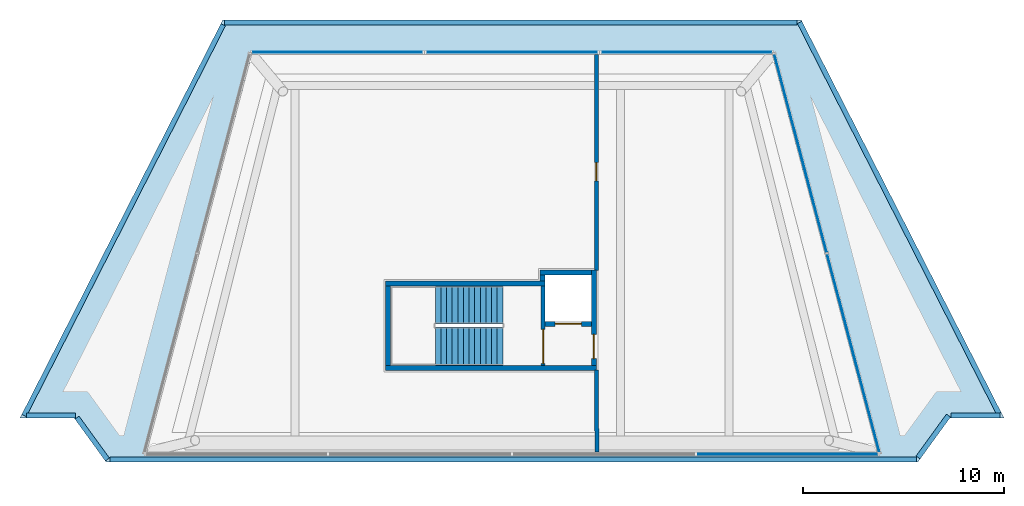
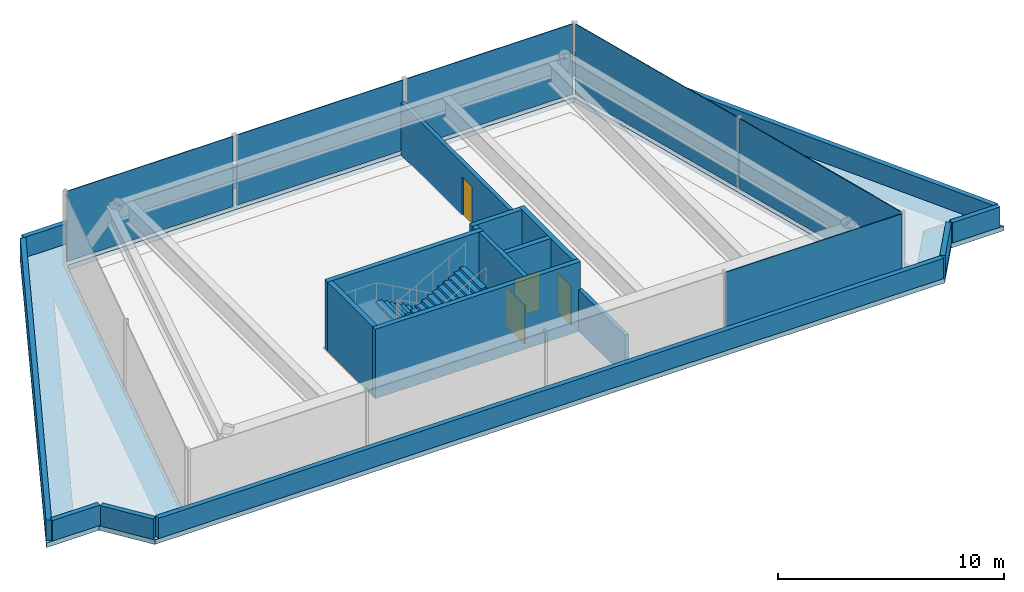
# One storey, part 2 of 3: 18 walls, 6 plates, 4 doors, 2 stair flights, 1 slab, 4 openings, 6 elements without a shape of their own.
"""IFC4 building model written with IfcOpenShell, lengths in metres."""

from ifc_helpers import new_model, si_unit, direction, frame, frame_2d, origin, origin_2d, place, context, subcontext, project, spatial, polyline, rectangle, outline, extrude, material, layer, layer_set, type_object, element, fill, aggregate, save


model = new_model("IFC4")

# Units and contexts
model_context = context("Model", 3, precision=1e-05, world=origin(), true_north=direction((0.0, 1.0)))
body_context = subcontext(model_context, "Body", "Model", "MODEL_VIEW")
ifc_project = project(units=[si_unit("LENGTHUNIT", "METRE"), si_unit("AREAUNIT", "SQUARE_METRE"), si_unit("VOLUMEUNIT", "CUBIC_METRE"), si_unit("PLANEANGLEUNIT", "RADIAN"), si_unit("MASSUNIT", "GRAM", prefix="KILO")], contexts=[model_context])

# Site, building, storey
site_placement = place(None, origin())
site = spatial("IfcSite", under=ifc_project, at=site_placement, CompositionType="ELEMENT")
building_placement = place(site_placement, origin())
building = spatial("IfcBuilding", under=site, at=building_placement, Name="Quipu Civic Tower", CompositionType="ELEMENT")
storey_placement = place(building_placement, frame((0.0, 0.0, 368.0)))
storey = spatial("IfcBuildingStorey", under=building, at=storey_placement, Name="L85", CompositionType="ELEMENT", Elevation=368.0)

# Slab
ifc_material_1 = material(Name="Concrete C40/50", Category="concrete")
ifc_layer_1 = layer(ifc_material_1, 0.25)
ifc_layer_set_1 = layer_set([ifc_layer_1], Name="Concrete C40/50")
slab_type = type_object("IfcSlabType", Name="Crown ledge slab 250 C40/50", PredefinedType="ROOF", material=ifc_layer_set_1)
slab_placement = place(storey_placement, frame((0.0, 0.0, -0.25)))
element("IfcSlab", 1, at=slab_placement, inside=storey, type_object=slab_type, Name="Crown ledge slab", PredefinedType="ROOF", context=body_context, shape_type="SweptSolid", body=[
    extrude(outline(polyline([(24.489990234375, -8.81494140625), (21.7900390625, -8.81494140625), (20.205078125, -11.0), (-20.205078125, -11.0), (-21.7900390625, -8.81494140625), (-24.489990234375, -8.81494140625), (-14.39501953125, 11.0), (14.39501953125, 11.0), (24.489990234375, -8.81494140625)]), holes=[polyline([(12.955078125, 9.2900390625), (-12.955078125, 9.2900390625), (-18.18505859375, -10.510009765625), (18.18505859375, -10.510009765625), (12.955078125, 9.2900390625)])]), origin(), (0.0, 0.0, 1.0), 0.25),
])

# Curtain wall, plate
ifc_material_2 = material(Name="Insulated glass unit", Category="glass")
curtain_wall_type_1 = type_object("IfcCurtainWallType", Name="Crown glass facets CW6", PredefinedType="NOTDEFINED", material=ifc_material_2)
curtain_wall_1_placement = place(storey_placement, origin())
curtain_wall_1 = element("IfcCurtainWall", 2, at=curtain_wall_1_placement, inside=storey, type_object=curtain_wall_type_1, Name="Crown glass facets CW6 L85 run 1", PredefinedType="NOTDEFINED")
ifc_material_3 = material(Name="Insulated glass unit", Category="glass")
ifc_layer_2 = layer(ifc_material_3, 0.0400390625)
ifc_layer_set_2 = layer_set([ifc_layer_2], Name="Insulated glass unit")
plate_type_1 = type_object("IfcPlateType", Name="Glass panel CW6", PredefinedType="CURTAIN_PANEL", material=ifc_layer_set_2)
plate_1_placement = place(storey_placement, frame((13.710693359375, -10.610107421875, 0.14990234375), z_axis=(0.0, 0.0, 1.0), x_axis=(1.0, 0.0, 0.0)))
plate_1 = element("IfcPlate", 3, at=plate_1_placement, type_object=plate_type_1, Name="CW6 panel 4.1", PredefinedType="CURTAIN_PANEL", context=body_context, shape_type="SweptSolid", body=[
    extrude(rectangle(XDim=9.007080078125, YDim=0.0400390625, at=origin_2d()), origin(), (0.0, 0.0, 1.0), 3.800048828125),
])
aggregate(curtain_wall_1, [plate_1])

curtain_wall_2_placement = place(storey_placement, origin())
curtain_wall_2 = element("IfcCurtainWall", 4, at=curtain_wall_2_placement, inside=storey, type_object=curtain_wall_type_1, Name="Crown glass facets CW6 L85 run 3b", PredefinedType="NOTDEFINED")
plate_2_placement = place(storey_placement, frame((0.0, 9.389892578125, 0.14990234375), z_axis=(0.0, 0.0, 1.0), x_axis=(-1.0, 0.0, 0.0)))
plate_2 = element("IfcPlate", 5, at=plate_2_placement, type_object=plate_type_1, Name="CW6 panel 1.1", PredefinedType="CURTAIN_PANEL", context=body_context, shape_type="SweptSolid", body=[
    extrude(rectangle(XDim=8.48828125, YDim=0.0400390625, at=origin_2d()), origin(), (0.0, 0.0, 1.0), 3.800048828125),
])
aggregate(curtain_wall_2, [plate_2])

# Curtain wall, plates
ifc_material_4 = material(Name="Anodised aluminium insulated panel", Category="aluminium")
curtain_wall_type_2 = type_object("IfcCurtainWallType", Name="Insulated infill wall CW6I", PredefinedType="NOTDEFINED", material=ifc_material_4)
curtain_wall_3_placement = place(storey_placement, origin())
curtain_wall_3 = element("IfcCurtainWall", 6, at=curtain_wall_3_placement, inside=storey, type_object=curtain_wall_type_2, Name="Insulated infill wall CW6I L85 run 2", PredefinedType="NOTDEFINED")
ifc_material_5 = material(Name="Anodised aluminium insulated panel", Category="aluminium")
ifc_layer_3 = layer(ifc_material_5, 0.0400390625)
ifc_layer_set_3 = layer_set([ifc_layer_3], Name="Anodised aluminium insulated panel")
plate_type_2 = type_object("IfcPlateType", Name="Insulated panel CW6I", PredefinedType="CURTAIN_PANEL", material=ifc_layer_set_3)
plate_3_placement = place(storey_placement, frame((16.9873046875, -5.5859375, 0.14990234375), z_axis=(0.0, 0.0, 1.0), x_axis=(-0.255317965936, 0.966857143672, 0.0)))
plate_3 = element("IfcPlate", 7, at=plate_3_placement, type_object=plate_type_2, Name="CW6I panel 1.1", PredefinedType="CURTAIN_PANEL", context=body_context, shape_type="SweptSolid", body=[
    extrude(rectangle(XDim=10.19287109375, YDim=0.0400390625, at=origin_2d()), origin(), (0.0, 0.0, 1.0), 3.800048828125),
])
plate_4_placement = place(storey_placement, frame((14.359375, 4.36572265625, 0.14990234375), z_axis=(0.0, 0.0, 1.0), x_axis=(-0.255317965936, 0.966857143672, 0.0)))
plate_4 = element("IfcPlate", 8, at=plate_4_placement, type_object=plate_type_2, Name="CW6I panel 2.1", PredefinedType="CURTAIN_PANEL", context=body_context, shape_type="SweptSolid", body=[
    extrude(rectangle(XDim=10.19287109375, YDim=0.0400390625, at=origin_2d()), origin(), (0.0, 0.0, 1.0), 3.800048828125),
])
aggregate(curtain_wall_3, [plate_3, plate_4])

# Curtain wall, plate
curtain_wall_4_placement = place(storey_placement, origin())
curtain_wall_4 = element("IfcCurtainWall", 9, at=curtain_wall_4_placement, inside=storey, type_object=curtain_wall_type_2, Name="Insulated infill wall CW6I L85 run 3a", PredefinedType="NOTDEFINED")
plate_5_placement = place(storey_placement, frame((8.6884765625, 9.389892578125, 0.14990234375), z_axis=(0.0, 0.0, 1.0), x_axis=(-1.0, 0.0, 0.0)))
plate_5 = element("IfcPlate", 10, at=plate_5_placement, type_object=plate_type_2, Name="CW6I panel 1.1", PredefinedType="CURTAIN_PANEL", context=body_context, shape_type="SweptSolid", body=[
    extrude(rectangle(XDim=8.488525390625, YDim=0.0400390625, at=origin_2d()), origin(), (0.0, 0.0, 1.0), 3.800048828125),
])
aggregate(curtain_wall_4, [plate_5])

curtain_wall_5_placement = place(storey_placement, origin())
curtain_wall_5 = element("IfcCurtainWall", 11, at=curtain_wall_5_placement, inside=storey, type_object=curtain_wall_type_2, Name="Insulated infill wall CW6I L85 run 3c", PredefinedType="NOTDEFINED")
plate_6_placement = place(storey_placement, frame((-8.6884765625, 9.389892578125, 0.14990234375), z_axis=(0.0, 0.0, 1.0), x_axis=(-1.0, 0.0, 0.0)))
plate_6 = element("IfcPlate", 12, at=plate_6_placement, type_object=plate_type_2, Name="CW6I panel 1.1", PredefinedType="CURTAIN_PANEL", context=body_context, shape_type="SweptSolid", body=[
    extrude(rectangle(XDim=8.488525390625, YDim=0.0400390625, at=origin_2d()), origin(), (0.0, 0.0, 1.0), 3.800048828125),
])
aggregate(curtain_wall_5, [plate_6])

# Wall, opening, door
ifc_material_6 = material(Name="Fired clay blockwork", Category="masonry")
ifc_layer_4 = layer(ifc_material_6, 0.199951171875)
ifc_layer_set_4 = layer_set([ifc_layer_4], Name="Fired clay blockwork")
wall_type_1 = type_object("IfcWallType", Name="Blockwork wall 200", PredefinedType="SOLIDWALL", material=ifc_layer_set_4)
wall_1_placement = place(storey_placement, frame((4.199951171875, 9.2900390625, 0.0), z_axis=(0.0, 0.0, 1.0), x_axis=(0.0, -1.0, 0.0)))
wall_1 = element("IfcWall", 13, at=wall_1_placement, inside=storey, type_object=wall_type_1, Name="Partition P01", PredefinedType="SOLIDWALL", context=body_context, shape_type="SweptSolid", body=[
    extrude(rectangle(XDim=10.760009765625, YDim=0.199951171875, at=frame_2d((5.3798828125, 0.0))), origin(), (0.0, 0.0, 1.0), 2.838134765625),
])
opening_1_placement = place(wall_1_placement, frame((5.39501953125, 0.0, 0.0)))
opening_1 = element("IfcOpeningElement", 14, at=opening_1_placement, cuts=wall_1, Name="Opening D001", PredefinedType="OPENING", context=body_context, shape_type="SweptSolid", body=[
    extrude(rectangle(XDim=0.89990234375, YDim=2.10009765625, at=frame_2d((0.449951171875, 1.050048828125))), frame((0.0, 0.10986328125, 0.0), z_axis=(0.0, -1.0, 0.0), x_axis=(1.0, 0.0, 0.0)), (0.0, 0.0, 1.0), 0.219970703125),
])
ifc_material_7 = material(Name="Fire rated timber door set with metal frame", Category="wood")
door_type_1 = type_object("IfcDoorType", Name="Single door 900 x 2100 FD60", OperationType="NOTDEFINED", PredefinedType="DOOR", material=ifc_material_7)
door_1_placement = place(opening_1_placement, origin())
door_1 = element("IfcDoor", 15, at=door_1_placement, inside=storey, type_object=door_type_1, Name="Door D001", OperationType="SINGLE_SWING_LEFT", OverallHeight=2.10009765625, OverallWidth=0.89990234375, PredefinedType="DOOR", context=body_context, shape_type="SweptSolid", body=[
    extrude(rectangle(XDim=0.89990234375, YDim=2.10009765625, at=frame_2d((0.449951171875, 1.050048828125))), frame((0.0, 0.02490234375, 0.0), z_axis=(0.0, -1.0, 0.0), x_axis=(1.0, 0.0, 0.0)), (0.0, 0.0, 1.0), 0.050048828125),
])
fill(opening_1, door_1)

# Walls
wall_2_placement = place(storey_placement, frame((4.199951171875, -6.429931640625, 0.0), z_axis=(0.0, 0.0, 1.0), x_axis=(0.006282786478, -0.999980263102, 0.0)))
element("IfcWall", 16, at=wall_2_placement, inside=storey, type_object=wall_type_1, Name="Partition P02", PredefinedType="SOLIDWALL", context=body_context, shape_type="SweptSolid", body=[
    extrude(rectangle(XDim=4.080078125, YDim=0.199951171875, at=frame_2d((2.0400390625, 0.0))), origin(), (0.0, 0.0, 1.0), 2.25),
])
ifc_material_8 = material(Name="Precast concrete C40/50", Category="concrete")
wall_type_2 = type_object("IfcWallType", Name="Concrete parapet", PredefinedType="PARAPET", material=ifc_material_8)
wall_3_placement = place(storey_placement, frame((-14.318603515625, 10.875, 0.0), z_axis=(0.0, 0.0, 1.0), x_axis=(1.0, 0.0, 0.0)))
element("IfcWall", 17, at=wall_3_placement, inside=storey, type_object=wall_type_2, Name="Parapet L85.1", PredefinedType="PARAPET", context=body_context, shape_type="SweptSolid", body=[
    extrude(rectangle(XDim=28.51220703125, YDim=0.25, at=frame_2d((14.256103515625, 0.0))), origin(), (0.0, 0.0, 1.0), 1.10009765625),
])
wall_4_placement = place(storey_placement, frame((14.318603515625, 10.875, 0.0), z_axis=(0.0, 0.0, 1.0), x_axis=(0.453994623596, -0.891004422966, 0.0)))
element("IfcWall", 18, at=wall_4_placement, inside=storey, type_object=wall_type_2, Name="Parapet L85.2", PredefinedType="PARAPET", context=body_context, shape_type="SweptSolid", body=[
    extrude(rectangle(XDim=21.834228515625, YDim=0.25, at=frame_2d((10.9169921875, 0.0))), origin(), (0.0, 0.0, 1.0), 1.10009765625),
])
wall_5_placement = place(storey_placement, frame((24.287841796875, -8.690673828125, 0.0), z_axis=(0.0, 0.0, 1.0), x_axis=(-1.0, 0.0, 0.0)))
element("IfcWall", 19, at=wall_5_placement, inside=storey, type_object=wall_type_2, Name="Parapet L85.3", PredefinedType="PARAPET", context=body_context, shape_type="SweptSolid", body=[
    extrude(rectangle(XDim=2.434814453125, YDim=0.25, at=frame_2d((1.21728515625, 0.0))), origin(), (0.0, 0.0, 1.0), 1.10009765625),
])
wall_6_placement = place(storey_placement, frame((21.72802734375, -8.690673828125, 0.0), z_axis=(0.0, 0.0, 1.0), x_axis=(-0.587748800394, -0.809043476975, 0.0)))
element("IfcWall", 20, at=wall_6_placement, inside=storey, type_object=wall_type_2, Name="Parapet L85.4", PredefinedType="PARAPET", context=body_context, shape_type="SweptSolid", body=[
    extrude(rectangle(XDim=2.574951171875, YDim=0.25, at=frame_2d((1.28759765625, 0.0))), origin(), (0.0, 0.0, 1.0), 1.10009765625),
])
wall_7_placement = place(storey_placement, frame((20.14111328125, -10.875, 0.0), z_axis=(0.0, 0.0, 1.0), x_axis=(-1.0, 0.0, 0.0)))
element("IfcWall", 21, at=wall_7_placement, inside=storey, type_object=wall_type_2, Name="Parapet L85.5", PredefinedType="PARAPET", context=body_context, shape_type="SweptSolid", body=[
    extrude(rectangle(XDim=40.1572265625, YDim=0.25, at=frame_2d((20.07861328125, 0.0))), origin(), (0.0, 0.0, 1.0), 1.10009765625),
])
wall_8_placement = place(storey_placement, frame((-20.14111328125, -10.875, 0.0), z_axis=(0.0, 0.0, 1.0), x_axis=(-0.587748800394, 0.809043476975, 0.0)))
element("IfcWall", 22, at=wall_8_placement, inside=storey, type_object=wall_type_2, Name="Parapet L85.6", PredefinedType="PARAPET", context=body_context, shape_type="SweptSolid", body=[
    extrude(rectangle(XDim=2.574951171875, YDim=0.25, at=frame_2d((1.28759765625, 0.0))), origin(), (0.0, 0.0, 1.0), 1.10009765625),
])
wall_9_placement = place(storey_placement, frame((-21.72802734375, -8.690673828125, 0.0), z_axis=(0.0, 0.0, 1.0), x_axis=(-1.0, 0.0, 0.0)))
element("IfcWall", 23, at=wall_9_placement, inside=storey, type_object=wall_type_2, Name="Parapet L85.7", PredefinedType="PARAPET", context=body_context, shape_type="SweptSolid", body=[
    extrude(rectangle(XDim=2.434814453125, YDim=0.25, at=frame_2d((1.21728515625, 0.0))), origin(), (0.0, 0.0, 1.0), 1.10009765625),
])
wall_10_placement = place(storey_placement, frame((-24.287841796875, -8.690673828125, 0.0), z_axis=(0.0, 0.0, 1.0), x_axis=(0.453985746595, 0.891008946021, 0.0)))
element("IfcWall", 24, at=wall_10_placement, inside=storey, type_object=wall_type_2, Name="Parapet L85.8", PredefinedType="PARAPET", context=body_context, shape_type="SweptSolid", body=[
    extrude(rectangle(XDim=21.833984375, YDim=0.25, at=frame_2d((10.9169921875, 0.0))), origin(), (0.0, 0.0, 1.0), 1.10009765625),
])

# Wall, opening, door
ifc_material_9 = material(Name="Concrete C70/85", Category="concrete")
ifc_layer_5 = layer(ifc_material_9, 0.199951171875)
ifc_layer_set_5 = layer_set([ifc_layer_5], Name="Concrete C70/85")
wall_type_3 = type_object("IfcWallType", Name="Core wall 200", PredefinedType="SHEAR", material=ifc_layer_set_5)
wall_11_placement = place(storey_placement, frame((1.550048828125, -6.199951171875, 0.0), z_axis=(0.0, 0.0, 1.0), x_axis=(0.0, 1.0, 0.0)))
wall_11 = element("IfcWall", 25, at=wall_11_placement, inside=storey, type_object=wall_type_3, Name="Core wall", PredefinedType="SHEAR", context=body_context, shape_type="SweptSolid", body=[
    extrude(rectangle(XDim=3.969970703125, YDim=0.199951171875, at=frame_2d((1.98486328125, 0.0))), origin(), (0.0, 0.0, 1.0), 3.75),
])
opening_2_placement = place(wall_11_placement, frame((0.10009765625, 0.0, 0.0)))
opening_2 = element("IfcOpeningElement", 26, at=opening_2_placement, cuts=wall_11, Name="Opening CD-01", PredefinedType="OPENING", context=body_context, shape_type="SweptSolid", body=[
    extrude(rectangle(XDim=1.699951171875, YDim=2.10009765625, at=frame_2d((0.85009765625, 1.050048828125))), frame((0.0, 0.10986328125, 0.0), z_axis=(0.0, -1.0, 0.0), x_axis=(1.0, 0.0, 0.0)), (0.0, 0.0, 1.0), 0.219970703125),
])
ifc_material_10 = material(Name="Fire rated steel door", Category="steel")
door_type_2 = type_object("IfcDoorType", Name="Fire door FD90 double 1700 x 2100", OperationType="NOTDEFINED", PredefinedType="DOOR", material=ifc_material_10)
door_2_placement = place(opening_2_placement, origin())
door_2 = element("IfcDoor", 27, at=door_2_placement, inside=storey, type_object=door_type_2, Name="Door", OperationType="DOUBLE_DOOR_SINGLE_SWING", OverallHeight=2.10009765625, OverallWidth=1.699951171875, PredefinedType="DOOR", context=body_context, shape_type="SweptSolid", body=[
    extrude(rectangle(XDim=1.699951171875, YDim=2.10009765625, at=frame_2d((0.85009765625, 1.050048828125))), frame((0.0, 0.02490234375, 0.0), z_axis=(0.0, -1.0, 0.0), x_axis=(1.0, 0.0, 0.0)), (0.0, 0.0, 1.0), 0.050048828125),
])
fill(opening_2, door_2)

# Walls
ifc_material_11 = material(Name="Concrete C70/85", Category="concrete")
ifc_layer_6 = layer(ifc_material_11, 0.25)
ifc_layer_set_6 = layer_set([ifc_layer_6], Name="Concrete C70/85")
wall_type_4 = type_object("IfcWallType", Name="Core wall 250", PredefinedType="SHEAR", material=ifc_layer_set_6)
wall_12_placement = place(storey_placement, frame((-6.300048828125, -6.324951171875, 0.0), z_axis=(0.0, 0.0, 1.0), x_axis=(1.0, 0.0, 0.0)))
element("IfcWall", 28, at=wall_12_placement, inside=storey, type_object=wall_type_4, Name="Core wall", PredefinedType="SHEAR", context=body_context, shape_type="SweptSolid", body=[
    extrude(rectangle(XDim=10.5, YDim=0.25, at=frame_2d((5.25, 0.0))), origin(), (0.0, 0.0, 1.0), 3.75),
])
wall_13_placement = place(storey_placement, frame((-6.175048828125, -6.199951171875, 0.0), z_axis=(0.0, 0.0, 1.0), x_axis=(0.0, 1.0, 0.0)))
element("IfcWall", 29, at=wall_13_placement, inside=storey, type_object=wall_type_4, Name="Core wall", PredefinedType="SHEAR", context=body_context, shape_type="SweptSolid", body=[
    extrude(rectangle(XDim=3.969970703125, YDim=0.25, at=frame_2d((1.98486328125, 0.0))), origin(), (0.0, 0.0, 1.0), 3.75),
])

# Wall, opening, door
wall_14_placement = place(storey_placement, frame((4.074951171875, -6.199951171875, 0.0), z_axis=(0.0, 0.0, 1.0), x_axis=(0.0, 1.0, 0.0)))
wall_14 = element("IfcWall", 30, at=wall_14_placement, inside=storey, type_object=wall_type_4, Name="Core wall", PredefinedType="SHEAR", context=body_context, shape_type="SweptSolid", body=[
    extrude(rectangle(XDim=4.75, YDim=0.25, at=frame_2d((2.375, 0.0))), origin(), (0.0, 0.0, 1.0), 3.75),
])
opening_3_placement = place(wall_14_placement, frame((0.35009765625, 0.0, 0.0)))
opening_3 = element("IfcOpeningElement", 31, at=opening_3_placement, cuts=wall_14, Name="Opening CD-02", PredefinedType="OPENING", context=body_context, shape_type="SweptSolid", body=[
    extrude(rectangle(XDim=1.199951171875, YDim=2.10009765625, at=frame_2d((0.60009765625, 1.050048828125))), frame((0.0, 0.135009765625, 0.0), z_axis=(0.0, -1.0, 0.0), x_axis=(1.0, 0.0, 0.0)), (0.0, 0.0, 1.0), 0.27001953125),
])
ifc_material_12 = material(Name="Fire rated steel door", Category="steel")
door_type_3 = type_object("IfcDoorType", Name="Fire door FD90 1200 x 2100", OperationType="NOTDEFINED", PredefinedType="DOOR", material=ifc_material_12)
door_3_placement = place(opening_3_placement, origin())
door_3 = element("IfcDoor", 32, at=door_3_placement, inside=storey, type_object=door_type_3, Name="Lobby door", OperationType="SINGLE_SWING_LEFT", OverallHeight=2.10009765625, OverallWidth=1.199951171875, PredefinedType="DOOR", context=body_context, shape_type="SweptSolid", body=[
    extrude(rectangle(XDim=1.199951171875, YDim=2.10009765625, at=frame_2d((0.60009765625, 1.050048828125))), frame((0.0, 0.02490234375, 0.0), z_axis=(0.0, -1.0, 0.0), x_axis=(1.0, 0.0, 0.0)), (0.0, 0.0, 1.0), 0.050048828125),
])
fill(opening_3, door_3)

wall_15_placement = place(storey_placement, frame((1.64990234375, -4.125, 0.0), z_axis=(0.0, 0.0, 1.0), x_axis=(1.0, 0.0, 0.0)))
wall_15 = element("IfcWall", 33, at=wall_15_placement, inside=storey, type_object=wall_type_4, Name="Core wall", PredefinedType="SHEAR", context=body_context, shape_type="SweptSolid", body=[
    extrude(rectangle(XDim=2.300048828125, YDim=0.25, at=frame_2d((1.14990234375, 0.0))), origin(), (0.0, 0.0, 1.0), 3.75),
])
opening_4_placement = place(wall_15_placement, frame((0.5, 0.0, 0.0)))
opening_4 = element("IfcOpeningElement", 34, at=opening_4_placement, cuts=wall_15, Name="Opening LD-FF3", PredefinedType="OPENING", context=body_context, shape_type="SweptSolid", body=[
    extrude(rectangle(XDim=1.300048828125, YDim=2.10009765625, at=frame_2d((0.64990234375, 1.050048828125))), frame((0.0, 0.135009765625, 0.0), z_axis=(0.0, -1.0, 0.0), x_axis=(1.0, 0.0, 0.0)), (0.0, 0.0, 1.0), 0.27001953125),
])
ifc_material_13 = material(Name="Stainless steel", Category="steel")
door_type_4 = type_object("IfcDoorType", Name="Lift landing door 1300 x 2100", OperationType="DOUBLE_DOOR_SLIDING", PredefinedType="DOOR", material=ifc_material_13)
door_4_placement = place(opening_4_placement, origin())
door_4 = element("IfcDoor", 35, at=door_4_placement, inside=storey, type_object=door_type_4, Name="Landing door FF3", OperationType="DOUBLE_DOOR_SLIDING", OverallHeight=2.10009765625, OverallWidth=1.300048828125, PredefinedType="DOOR", context=body_context, shape_type="SweptSolid", body=[
    extrude(rectangle(XDim=1.300048828125, YDim=2.10009765625, at=frame_2d((0.64990234375, 1.050048828125))), frame((0.0, 0.02490234375, 0.0), z_axis=(0.0, -1.0, 0.0), x_axis=(1.0, 0.0, 0.0)), (0.0, 0.0, 1.0), 0.050048828125),
])
fill(opening_4, door_4)

# Walls
wall_16_placement = place(storey_placement, frame((-6.300048828125, -2.10498046875, 0.0), z_axis=(0.0, 0.0, 1.0), x_axis=(1.0, 0.0, 0.0)))
element("IfcWall", 36, at=wall_16_placement, inside=storey, type_object=wall_type_4, Name="Core wall", PredefinedType="SHEAR", context=body_context, shape_type="SweptSolid", body=[
    extrude(rectangle(XDim=7.949951171875, YDim=0.25, at=frame_2d((3.97509765625, 0.0))), origin(), (0.0, 0.0, 1.0), 3.75),
])
wall_17_placement = place(storey_placement, frame((1.52490234375, -1.97998046875, 0.0), z_axis=(0.0, 0.0, 1.0), x_axis=(0.0, 1.0, 0.0)))
element("IfcWall", 37, at=wall_17_placement, inside=storey, type_object=wall_type_4, Name="Core wall", PredefinedType="SHEAR", context=body_context, shape_type="SweptSolid", body=[
    extrude(rectangle(XDim=0.280029296875, YDim=0.25, at=frame_2d((0.14013671875, 0.0))), origin(), (0.0, 0.0, 1.0), 3.75),
])
wall_18_placement = place(storey_placement, frame((1.39990234375, -1.574951171875, 0.0), z_axis=(0.0, 0.0, 1.0), x_axis=(1.0, 0.0, 0.0)))
element("IfcWall", 38, at=wall_18_placement, inside=storey, type_object=wall_type_4, Name="Core wall", PredefinedType="SHEAR", context=body_context, shape_type="SweptSolid", body=[
    extrude(rectangle(XDim=2.550048828125, YDim=0.25, at=frame_2d((1.27490234375, 0.0))), origin(), (0.0, 0.0, 1.0), 3.75),
])

# Stair, stair flights
ifc_material_14 = material(Name="Concrete C40/50", Category="concrete")
stair_type = type_object("IfcStairType", Name="Half turn stair 1910", PredefinedType="HALF_TURN_STAIR", material=ifc_material_14)
stair_placement = place(storey_placement, origin())
stair = element("IfcStair", 39, at=stair_placement, inside=storey, type_object=stair_type, Name="Crown access stair", PredefinedType="HALF_TURN_STAIR")
ifc_material_15 = material(Name="Concrete C40/50", Category="concrete")
stair_flight_type = type_object("IfcStairFlightType", Name="Stair flight 1910", PredefinedType="STRAIGHT", material=ifc_material_15)
stair_flight_1_placement = place(storey_placement, frame((-0.4599609375, -3.18505859375, 0.0), z_axis=(0.0, 0.0, 1.0), x_axis=(-1.0, 0.0, 0.0)))
stair_flight_1 = element("IfcStairFlight", 40, at=stair_flight_1_placement, type_object=stair_flight_type, Name="ST-5 flight 1", NumberOfRisers=13, NumberOfTreads=12, PredefinedType="STRAIGHT", RiserHeight=0.153846154, TreadLength=0.28, context=body_context, shape_type="SweptSolid", body=[
    extrude(outline(polyline([(0.0, 0.0), (0.0, 0.15380859375), (0.280029296875, 0.15380859375), (0.280029296875, 0.3076171875), (0.56005859375, 0.3076171875), (0.56005859375, 0.46142578125), (0.840087890625, 0.46142578125), (0.840087890625, 0.615478515625), (1.1201171875, 0.615478515625), (1.1201171875, 0.769287109375), (1.39990234375, 0.769287109375), (1.39990234375, 0.923095703125), (1.679931640625, 0.923095703125), (1.679931640625, 1.076904296875), (1.9599609375, 1.076904296875), (1.9599609375, 1.230712890625), (2.239990234375, 1.230712890625), (2.239990234375, 1.384521484375), (2.52001953125, 1.384521484375), (2.52001953125, 1.53857421875), (2.800048828125, 1.53857421875), (2.800048828125, 1.6923828125), (3.080078125, 1.6923828125), (3.080078125, 1.84619140625), (3.360107421875, 1.84619140625), (3.360107421875, 2.0), (3.360107421875, 1.708984375), (0.24951171875, 0.0), (0.0, 0.0)])), frame((0.0, 0.955078125, 0.0), z_axis=(0.0, -1.0, 0.0), x_axis=(1.0, 0.0, 0.0)), (0.0, 0.0, 1.0), 1.909912109375),
])
stair_flight_2_placement = place(storey_placement, frame((-3.820068359375, -5.2451171875, 2.0), z_axis=(0.0, 0.0, 1.0), x_axis=(1.0, 0.0, 0.0)))
stair_flight_2 = element("IfcStairFlight", 41, at=stair_flight_2_placement, type_object=stair_flight_type, Name="ST-5 flight 2", NumberOfRisers=13, NumberOfTreads=12, PredefinedType="STRAIGHT", RiserHeight=0.153846154, TreadLength=0.28, context=body_context, shape_type="SweptSolid", body=[
    extrude(outline(polyline([(0.0, 0.0), (0.0, 0.15380859375), (0.280029296875, 0.15380859375), (0.280029296875, 0.3076171875), (0.56005859375, 0.3076171875), (0.56005859375, 0.46142578125), (0.840087890625, 0.46142578125), (0.840087890625, 0.615478515625), (1.1201171875, 0.615478515625), (1.1201171875, 0.769287109375), (1.39990234375, 0.769287109375), (1.39990234375, 0.923095703125), (1.679931640625, 0.923095703125), (1.679931640625, 1.076904296875), (1.9599609375, 1.076904296875), (1.9599609375, 1.230712890625), (2.239990234375, 1.230712890625), (2.239990234375, 1.384521484375), (2.52001953125, 1.384521484375), (2.52001953125, 1.53857421875), (2.800048828125, 1.53857421875), (2.800048828125, 1.6923828125), (3.080078125, 1.6923828125), (3.080078125, 1.84619140625), (3.360107421875, 1.84619140625), (3.360107421875, 2.0), (3.360107421875, 1.708984375), (0.24951171875, 0.0), (0.0, 0.0)])), frame((0.0, 0.955078125, 0.0), z_axis=(0.0, -1.0, 0.0), x_axis=(1.0, 0.0, 0.0)), (0.0, 0.0, 1.0), 1.909912109375),
])
aggregate(stair, [stair_flight_1, stair_flight_2])

save(model, "model.ifc")
